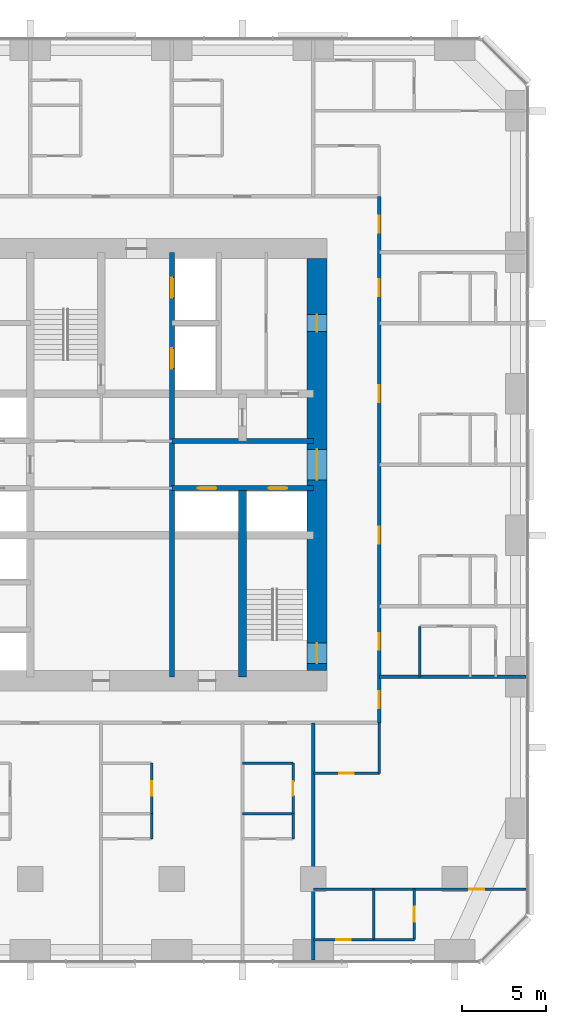
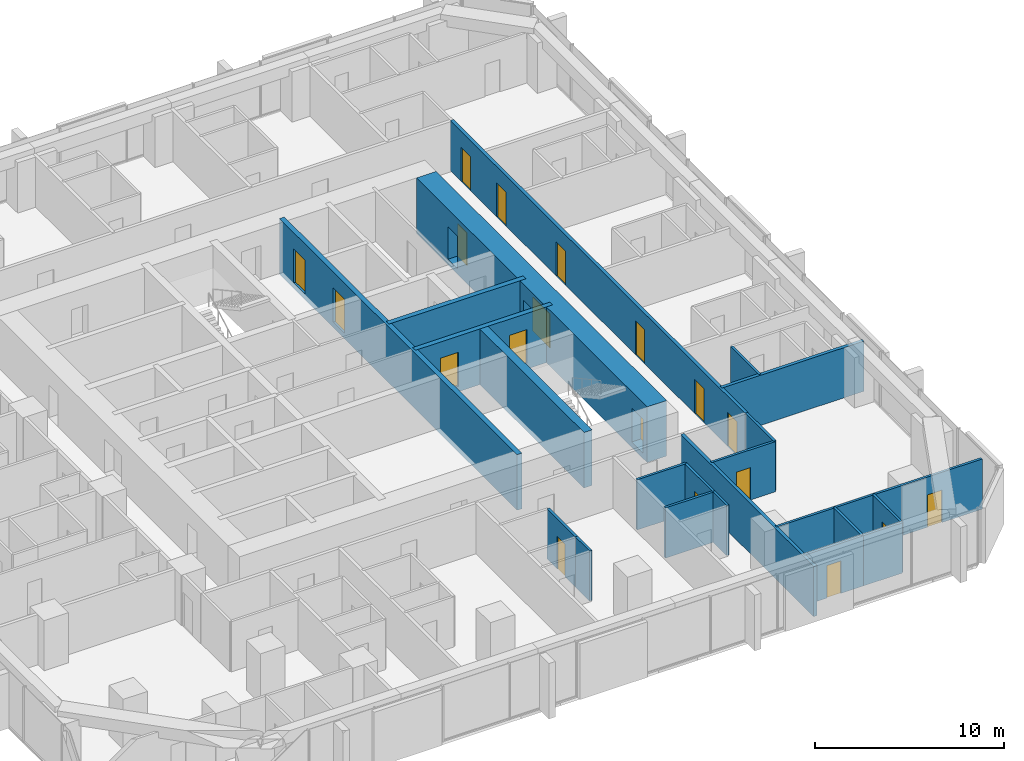
# One storey, part 10 of 14: 22 walls, 19 doors, 19 openings.
"""IFC4 building model written with IfcOpenShell, lengths in metres."""

from ifc_helpers import new_model, si_unit, direction, frame, frame_2d, origin, place, context, subcontext, project, spatial, rectangle, extrude, material, layer, layer_set, type_object, element, fill, save


model = new_model("IFC4")

# Units and contexts
model_context = context("Model", 3, precision=1e-05, world=origin(), true_north=direction((0.0, 1.0)))
body_context = subcontext(model_context, "Body", "Model", "MODEL_VIEW")
ifc_project = project(units=[si_unit("LENGTHUNIT", "METRE"), si_unit("AREAUNIT", "SQUARE_METRE"), si_unit("VOLUMEUNIT", "CUBIC_METRE"), si_unit("PLANEANGLEUNIT", "RADIAN"), si_unit("MASSUNIT", "GRAM", prefix="KILO")], contexts=[model_context])

# Site, building, storey
site_placement = place(None, origin())
site = spatial("IfcSite", under=ifc_project, at=site_placement, CompositionType="ELEMENT")
building_placement = place(site_placement, origin())
building = spatial("IfcBuilding", under=site, at=building_placement, Name="Dunama Terrace Hotel", CompositionType="ELEMENT")
storey_placement = place(building_placement, frame((0.0, 0.0, 108.0)))
storey = spatial("IfcBuildingStorey", under=building, at=storey_placement, Name="L27", CompositionType="ELEMENT", Elevation=108.0)

# Wall, opening, door
ifc_material_1 = material(Name="Gypsum board partition", Category="masonry")
ifc_layer_1 = layer(ifc_material_1, 0.14990234375)
ifc_layer_set_1 = layer_set([ifc_layer_1], Name="Bathroom partition 150")
wall_type_1 = type_object("IfcWallType", Name="Bathroom partition 150", PredefinedType="PARTITIONING", material=ifc_layer_set_1)
wall_1_placement = place(storey_placement, frame((32.39990234375, 8.675048828125, 0.0), z_axis=(0.0, 0.0, 1.0), x_axis=(0.0, 1.0, 0.0)))
wall_1 = element("IfcWall", 1, at=wall_1_placement, inside=storey, type_object=wall_type_1, Name="Bathroom partition 150 L27", PredefinedType="PARTITIONING", context=body_context, shape_type="SweptSolid", body=[
    extrude(rectangle(XDim=3.0, YDim=0.14990234375, at=frame_2d((1.5, 0.0))), origin(), (0.0, 0.0, 1.0), 3.25),
])
opening_1_placement = place(wall_1_placement, frame((1.074951171875, 0.0, 0.0)))
opening_1 = element("IfcOpeningElement", 2, at=opening_1_placement, cuts=wall_1, Name="Opening L25-27-018", PredefinedType="OPENING", context=body_context, shape_type="SweptSolid", body=[
    extrude(rectangle(XDim=0.85009765625, YDim=2.10009765625, at=frame_2d((0.425048828125, 1.050048828125))), frame((0.0, 0.0849609375, 0.0), z_axis=(0.0, -1.0, 0.0), x_axis=(1.0, 0.0, 0.0)), (0.0, 0.0, 1.0), 0.169921875),
])
ifc_material_2 = material(Name="Timber door with steel frame", Category="steel")
door_type_1 = type_object("IfcDoorType", Name="Bathroom door 850", OperationType="SINGLE_SWING_LEFT", PredefinedType="DOOR", material=ifc_material_2)
door_1_placement = place(opening_1_placement, origin())
door_1 = element("IfcDoor", 3, at=door_1_placement, inside=storey, type_object=door_type_1, Name="Door to en-suite bathroom L25-27-018, type D2", OperationType="SINGLE_SWING_LEFT", OverallHeight=2.10009765625, OverallWidth=0.85009765625, PredefinedType="DOOR", context=body_context, shape_type="SweptSolid", body=[
    extrude(rectangle(XDim=0.85009765625, YDim=2.10009765625, at=frame_2d((0.425048828125, 1.050048828125))), frame((0.0, 0.02490234375, 0.0), z_axis=(0.0, -1.0, 0.0), x_axis=(1.0, 0.0, 0.0)), (0.0, 0.0, 1.0), 0.050048828125),
])
fill(opening_1, door_1)

wall_2_placement = place(storey_placement, frame((40.800048828125, 8.675048828125, 0.0), z_axis=(0.0, 0.0, 1.0), x_axis=(0.0, 1.0, 0.0)))
wall_2 = element("IfcWall", 4, at=wall_2_placement, inside=storey, type_object=wall_type_1, Name="Bathroom partition 150 L27", PredefinedType="PARTITIONING", context=body_context, shape_type="SweptSolid", body=[
    extrude(rectangle(XDim=3.0, YDim=0.14990234375, at=frame_2d((1.5, 0.0))), origin(), (0.0, 0.0, 1.0), 3.25),
])
opening_2_placement = place(wall_2_placement, frame((1.074951171875, 0.0, 0.0)))
opening_2 = element("IfcOpeningElement", 5, at=opening_2_placement, cuts=wall_2, Name="Opening L25-27-021", PredefinedType="OPENING", context=body_context, shape_type="SweptSolid", body=[
    extrude(rectangle(XDim=0.85009765625, YDim=2.10009765625, at=frame_2d((0.425048828125, 1.050048828125))), frame((0.0, 0.0849609375, 0.0), z_axis=(0.0, -1.0, 0.0), x_axis=(1.0, 0.0, 0.0)), (0.0, 0.0, 1.0), 0.169921875),
])
door_2_placement = place(opening_2_placement, origin())
door_2 = element("IfcDoor", 6, at=door_2_placement, inside=storey, type_object=door_type_1, Name="Door to en-suite bathroom L25-27-021, type D2", OperationType="SINGLE_SWING_LEFT", OverallHeight=2.10009765625, OverallWidth=0.85009765625, PredefinedType="DOOR", context=body_context, shape_type="SweptSolid", body=[
    extrude(rectangle(XDim=0.85009765625, YDim=2.10009765625, at=frame_2d((0.425048828125, 1.050048828125))), frame((0.0, 0.02490234375, 0.0), z_axis=(0.0, -1.0, 0.0), x_axis=(1.0, 0.0, 0.0)), (0.0, 0.0, 1.0), 0.050048828125),
])
fill(opening_2, door_2)

# Walls
for number, where, z_axis, x_axis, name in (
    (7, (45.925048828125, 11.074951171875, 0.0), (0.0, 0.0, 1.0), (0.0, 1.0, 0.0), "Bathroom partition 150 L27"),
    (8, (48.324951171875, 16.800048828125, 0.0), (0.0, 0.0, 1.0), (0.0, 1.0, 0.0), "Bathroom partition 150 L27"),
):
    element("IfcWall", number, at=place(storey_placement, frame(where, z_axis=z_axis, x_axis=x_axis)), inside=storey, type_object=wall_type_1, Name=name, PredefinedType="PARTITIONING", context=body_context, shape_type="SweptSolid", body=[
        extrude(rectangle(XDim=3.0, YDim=0.14990234375, at=frame_2d((1.5, 0.0))), origin(), (0.0, 0.0, 1.0), 3.25),
    ])

# Wall, opening, door
wall_3_placement = place(storey_placement, frame((42.0, 1.199951171875, 0.0), z_axis=(0.0, 0.0, 1.0), x_axis=(1.0, 0.0, 0.0)))
wall_3 = element("IfcWall", 9, at=wall_3_placement, inside=storey, type_object=wall_type_1, Name="Bathroom partition 150 L27", PredefinedType="PARTITIONING", context=body_context, shape_type="SweptSolid", body=[
    extrude(rectangle(XDim=3.60009765625, YDim=0.14990234375, at=frame_2d((1.800048828125, 0.0))), origin(), (0.0, 0.0, 1.0), 3.25),
])
opening_3_placement = place(wall_3_placement, frame((1.375, 0.0, 0.0)))
opening_3 = element("IfcOpeningElement", 10, at=opening_3_placement, cuts=wall_3, Name="Opening L25-27-067", PredefinedType="OPENING", context=body_context, shape_type="SweptSolid", body=[
    extrude(rectangle(XDim=0.85009765625, YDim=2.10009765625, at=frame_2d((0.425048828125, 1.050048828125))), frame((0.0, 0.0849609375, 0.0), z_axis=(0.0, -1.0, 0.0), x_axis=(1.0, 0.0, 0.0)), (0.0, 0.0, 1.0), 0.169921875),
])
door_3_placement = place(opening_3_placement, origin())
door_3 = element("IfcDoor", 11, at=door_3_placement, inside=storey, type_object=door_type_1, Name="Door to en-suite bathroom L25-27-067, type D2", OperationType="SINGLE_SWING_LEFT", OverallHeight=2.10009765625, OverallWidth=0.85009765625, PredefinedType="DOOR", context=body_context, shape_type="SweptSolid", body=[
    extrude(rectangle(XDim=0.85009765625, YDim=2.10009765625, at=frame_2d((0.425048828125, 1.050048828125))), frame((0.0, 0.02490234375, 0.0), z_axis=(0.0, -1.0, 0.0), x_axis=(1.0, 0.0, 0.0)), (0.0, 0.0, 1.0), 0.050048828125),
])
fill(opening_3, door_3)

wall_4_placement = place(storey_placement, frame((42.0, 11.074951171875, 0.0), z_axis=(0.0, 0.0, 1.0), x_axis=(1.0, 0.0, 0.0)))
wall_4 = element("IfcWall", 12, at=wall_4_placement, inside=storey, type_object=wall_type_1, Name="Bathroom partition 150 L27", PredefinedType="PARTITIONING", context=body_context, shape_type="SweptSolid", body=[
    extrude(rectangle(XDim=3.925048828125, YDim=0.14990234375, at=frame_2d((1.96240234375, 0.0))), origin(), (0.0, 0.0, 1.0), 3.25),
])
opening_4_placement = place(wall_4_placement, frame((1.5380859375, 0.0, 0.0)))
opening_4 = element("IfcOpeningElement", 13, at=opening_4_placement, cuts=wall_4, Name="Opening L25-27-065", PredefinedType="OPENING", context=body_context, shape_type="SweptSolid", body=[
    extrude(rectangle(XDim=0.85009765625, YDim=2.10009765625, at=frame_2d((0.425048828125, 1.050048828125))), frame((0.0, 0.0849609375, 0.0), z_axis=(0.0, -1.0, 0.0), x_axis=(1.0, 0.0, 0.0)), (0.0, 0.0, 1.0), 0.169921875),
])
door_4_placement = place(opening_4_placement, origin())
door_4 = element("IfcDoor", 14, at=door_4_placement, inside=storey, type_object=door_type_1, Name="Door to powder room L25-27-065, type D2", OperationType="SINGLE_SWING_LEFT", OverallHeight=2.10009765625, OverallWidth=0.85009765625, PredefinedType="DOOR", context=body_context, shape_type="SweptSolid", body=[
    extrude(rectangle(XDim=0.85009765625, YDim=2.10009765625, at=frame_2d((0.425048828125, 1.050048828125))), frame((0.0, 0.02490234375, 0.0), z_axis=(0.0, -1.0, 0.0), x_axis=(1.0, 0.0, 0.0)), (0.0, 0.0, 1.0), 0.050048828125),
])
fill(opening_4, door_4)

# Wall
wall_5_placement = place(storey_placement, frame((37.800048828125, 11.675048828125, 0.0), z_axis=(0.0, 0.0, 1.0), x_axis=(1.0, 0.0, 0.0)))
element("IfcWall", 15, at=wall_5_placement, inside=storey, type_object=wall_type_1, Name="Bathroom partition 150 L27", PredefinedType="PARTITIONING", context=body_context, shape_type="SweptSolid", body=[
    extrude(rectangle(XDim=3.0, YDim=0.14990234375, at=frame_2d((1.5, 0.0))), origin(), (0.0, 0.0, 1.0), 3.25),
])

# Wall, openings, doors
ifc_material_3 = material(Name="Concrete C50/60", Category="concrete")
ifc_layer_2 = layer(ifc_material_3, 0.300048828125)
ifc_layer_set_2 = layer_set([ifc_layer_2], Name="Core inner wall 300")
wall_type_2 = type_object("IfcWallType", Name="Core inner wall 300", PredefinedType="SHEAR", material=ifc_layer_set_2)
wall_6_placement = place(storey_placement, frame((33.60009765625, 16.800048828125, -0.35009765625), z_axis=(0.0, 0.0, 1.0), x_axis=(0.0, 1.0, 0.0)))
wall_6 = element("IfcWall", 16, at=wall_6_placement, inside=storey, type_object=wall_type_2, Name="Core inner wall 300 L27", PredefinedType="SHEAR", context=body_context, shape_type="SweptSolid", body=[
    extrude(rectangle(XDim=25.199951171875, YDim=0.300048828125, at=frame_2d((12.60009765625, 0.0))), origin(), (0.0, 0.0, 1.0), 3.60009765625),
])
opening_5_placement = place(wall_6_placement, frame((22.5, 0.0, 0.35009765625)))
opening_5 = element("IfcOpeningElement", 17, at=opening_5_placement, cuts=wall_6, Name="Opening L25-27-009", PredefinedType="OPENING", context=body_context, shape_type="SweptSolid", body=[
    extrude(rectangle(XDim=1.199951171875, YDim=2.199951171875, at=frame_2d((0.60009765625, 1.10009765625))), frame((0.0, 0.159912109375, 0.0), z_axis=(0.0, -1.0, 0.0), x_axis=(1.0, 0.0, 0.0)), (0.0, 0.0, 1.0), 0.320068359375),
])
opening_6_placement = place(wall_6_placement, frame((18.300048828125, 0.0, 0.35009765625)))
opening_6 = element("IfcOpeningElement", 18, at=opening_6_placement, cuts=wall_6, Name="Opening L25-27-010", PredefinedType="OPENING", context=body_context, shape_type="SweptSolid", body=[
    extrude(rectangle(XDim=1.199951171875, YDim=2.199951171875, at=frame_2d((0.60009765625, 1.10009765625))), frame((0.0, 0.159912109375, 0.0), z_axis=(0.0, -1.0, 0.0), x_axis=(1.0, 0.0, 0.0)), (0.0, 0.0, 1.0), 0.320068359375),
])
ifc_material_4 = material(Name="Stainless steel lift door", Category="steel")
door_type_2 = type_object("IfcDoorType", Name="Firefighting lift landing door 1200", OperationType="DOUBLE_DOOR_SLIDING", PredefinedType="DOOR", material=ifc_material_4)
door_5_placement = place(opening_5_placement, origin())
door_5 = element("IfcDoor", 19, at=door_5_placement, inside=storey, type_object=door_type_2, Name="Landing door FL1 L25-27-009, type LD2", OperationType="DOUBLE_DOOR_SLIDING", OverallHeight=2.199951171875, OverallWidth=1.199951171875, PredefinedType="DOOR", context=body_context, shape_type="SweptSolid", body=[
    extrude(rectangle(XDim=1.199951171875, YDim=2.199951171875, at=frame_2d((0.60009765625, 1.10009765625))), frame((0.0, 0.02490234375, 0.0), z_axis=(0.0, -1.0, 0.0), x_axis=(1.0, 0.0, 0.0)), (0.0, 0.0, 1.0), 0.050048828125),
])
fill(opening_5, door_5)
door_6_placement = place(opening_6_placement, origin())
door_6 = element("IfcDoor", 20, at=door_6_placement, inside=storey, type_object=door_type_2, Name="Landing door FL2 L25-27-010, type LD2", OperationType="DOUBLE_DOOR_SLIDING", OverallHeight=2.199951171875, OverallWidth=1.199951171875, PredefinedType="DOOR", context=body_context, shape_type="SweptSolid", body=[
    extrude(rectangle(XDim=1.199951171875, YDim=2.199951171875, at=frame_2d((0.60009765625, 1.10009765625))), frame((0.0, 0.02490234375, 0.0), z_axis=(0.0, -1.0, 0.0), x_axis=(1.0, 0.0, 0.0)), (0.0, 0.0, 1.0), 0.050048828125),
])
fill(opening_6, door_6)

wall_7_placement = place(storey_placement, frame((33.60009765625, 28.0, -0.35009765625), z_axis=(0.0, 0.0, 1.0), x_axis=(1.0, 0.0, 0.0)))
wall_7 = element("IfcWall", 21, at=wall_7_placement, inside=storey, type_object=wall_type_2, Name="Core inner wall 300 L27", PredefinedType="SHEAR", context=body_context, shape_type="SweptSolid", body=[
    extrude(rectangle(XDim=8.39990234375, YDim=0.300048828125, at=frame_2d((4.199951171875, 0.0))), origin(), (0.0, 0.0, 1.0), 3.60009765625),
])
opening_7_placement = place(wall_7_placement, frame((1.550048828125, 0.0, 0.35009765625)))
opening_7 = element("IfcOpeningElement", 22, at=opening_7_placement, cuts=wall_7, Name="Opening L25-27-003", PredefinedType="OPENING", context=body_context, shape_type="SweptSolid", body=[
    extrude(rectangle(XDim=1.10009765625, YDim=2.199951171875, at=frame_2d((0.550048828125, 1.10009765625))), frame((0.0, 0.159912109375, 0.0), z_axis=(0.0, -1.0, 0.0), x_axis=(1.0, 0.0, 0.0)), (0.0, 0.0, 1.0), 0.320068359375),
])
opening_8_placement = place(wall_7_placement, frame((5.75, 0.0, 0.35009765625)))
opening_8 = element("IfcOpeningElement", 23, at=opening_8_placement, cuts=wall_7, Name="Opening L25-27-004", PredefinedType="OPENING", context=body_context, shape_type="SweptSolid", body=[
    extrude(rectangle(XDim=1.10009765625, YDim=2.199951171875, at=frame_2d((0.550048828125, 1.10009765625))), frame((0.0, 0.159912109375, 0.0), z_axis=(0.0, -1.0, 0.0), x_axis=(1.0, 0.0, 0.0)), (0.0, 0.0, 1.0), 0.320068359375),
])
ifc_material_5 = material(Name="Stainless steel lift door", Category="steel")
door_type_3 = type_object("IfcDoorType", Name="Lift landing door 1100", OperationType="DOUBLE_DOOR_SLIDING", PredefinedType="DOOR", material=ifc_material_5)
door_7_placement = place(opening_7_placement, origin())
door_7 = element("IfcDoor", 24, at=door_7_placement, inside=storey, type_object=door_type_3, Name="Landing door PB1 L25-27-003, type LD1", OperationType="DOUBLE_DOOR_SLIDING", OverallHeight=2.199951171875, OverallWidth=1.10009765625, PredefinedType="DOOR", context=body_context, shape_type="SweptSolid", body=[
    extrude(rectangle(XDim=1.10009765625, YDim=2.199951171875, at=frame_2d((0.550048828125, 1.10009765625))), frame((0.0, 0.02490234375, 0.0), z_axis=(0.0, -1.0, 0.0), x_axis=(1.0, 0.0, 0.0)), (0.0, 0.0, 1.0), 0.050048828125),
])
fill(opening_7, door_7)
door_8_placement = place(opening_8_placement, origin())
door_8 = element("IfcDoor", 25, at=door_8_placement, inside=storey, type_object=door_type_3, Name="Landing door PB2 L25-27-004, type LD1", OperationType="DOUBLE_DOOR_SLIDING", OverallHeight=2.199951171875, OverallWidth=1.10009765625, PredefinedType="DOOR", context=body_context, shape_type="SweptSolid", body=[
    extrude(rectangle(XDim=1.10009765625, YDim=2.199951171875, at=frame_2d((0.550048828125, 1.10009765625))), frame((0.0, 0.02490234375, 0.0), z_axis=(0.0, -1.0, 0.0), x_axis=(1.0, 0.0, 0.0)), (0.0, 0.0, 1.0), 0.050048828125),
])
fill(opening_8, door_8)

# Walls
wall_8_placement = place(storey_placement, frame((33.60009765625, 30.800048828125, -0.35009765625), z_axis=(0.0, 0.0, 1.0), x_axis=(1.0, 0.0, 0.0)))
element("IfcWall", 26, at=wall_8_placement, inside=storey, type_object=wall_type_2, Name="Core inner wall 300 L27", PredefinedType="SHEAR", context=body_context, shape_type="SweptSolid", body=[
    extrude(rectangle(XDim=8.39990234375, YDim=0.300048828125, at=frame_2d((4.199951171875, 0.0))), origin(), (0.0, 0.0, 1.0), 3.60009765625),
])
ifc_material_6 = material(Name="Concrete C50/60", Category="concrete")
ifc_layer_3 = layer(ifc_material_6, 0.5)
ifc_layer_set_3 = layer_set([ifc_layer_3], Name="Core inner wall 500")
wall_type_3 = type_object("IfcWallType", Name="Core inner wall 500", PredefinedType="SHEAR", material=ifc_layer_set_3)
wall_9_placement = place(storey_placement, frame((37.800048828125, 16.800048828125, -0.35009765625), z_axis=(0.0, 0.0, 1.0), x_axis=(0.0, 1.0, 0.0)))
element("IfcWall", 27, at=wall_9_placement, inside=storey, type_object=wall_type_3, Name="Core inner wall 500 L27", PredefinedType="SHEAR", context=body_context, shape_type="SweptSolid", body=[
    extrude(rectangle(XDim=11.199951171875, YDim=0.5, at=frame_2d((5.60009765625, 0.0))), origin(), (0.0, 0.0, 1.0), 3.60009765625),
])

# Wall, openings, doors
ifc_material_7 = material(Name="Concrete C60/75", Category="concrete")
ifc_layer_4 = layer(ifc_material_7, 1.199951171875)
ifc_layer_set_4 = layer_set([ifc_layer_4], Name="Core wall 1200")
wall_type_4 = type_object("IfcWallType", Name="Core wall 1200", PredefinedType="SHEAR", material=ifc_layer_set_4)
wall_10_placement = place(storey_placement, frame((42.22509765625, 17.175048828125, -0.35009765625), z_axis=(0.0, 0.0, 1.0), x_axis=(0.0, 1.0, 0.0)))
wall_10 = element("IfcWall", 28, at=wall_10_placement, inside=storey, type_object=wall_type_4, Name="Core wall east L27", PredefinedType="SHEAR", context=body_context, shape_type="SweptSolid", body=[
    extrude(rectangle(XDim=24.449951171875, YDim=1.199951171875, at=frame_2d((12.22509765625, 0.0))), origin(), (0.0, 0.0, 1.0), 3.60009765625),
])
opening_9_placement = place(wall_10_placement, frame((0.425048828125, 0.0, 0.35009765625)))
opening_9 = element("IfcOpeningElement", 29, at=opening_9_placement, cuts=wall_10, Name="Opening L25-27-002", PredefinedType="OPENING", context=body_context, shape_type="SweptSolid", body=[
    extrude(rectangle(XDim=1.199951171875, YDim=2.199951171875, at=frame_2d((0.60009765625, 1.10009765625))), frame((0.0, 0.60986328125, 0.0), z_axis=(0.0, -1.0, 0.0), x_axis=(1.0, 0.0, 0.0)), (0.0, 0.0, 1.0), 1.219970703125),
])
opening_10_placement = place(wall_10_placement, frame((11.324951171875, 0.0, 0.35009765625)))
opening_10 = element("IfcOpeningElement", 30, at=opening_10_placement, cuts=wall_10, Name="Opening L25-27-089", PredefinedType="OPENING", context=body_context, shape_type="SweptSolid", body=[
    extrude(rectangle(XDim=1.800048828125, YDim=2.199951171875, at=frame_2d((0.89990234375, 1.10009765625))), frame((0.0, 0.60986328125, 0.0), z_axis=(0.0, -1.0, 0.0), x_axis=(1.0, 0.0, 0.0)), (0.0, 0.0, 1.0), 1.219970703125),
])
opening_11_placement = place(wall_10_placement, frame((20.125, 0.0, 0.35009765625)))
opening_11 = element("IfcOpeningElement", 31, at=opening_11_placement, cuts=wall_10, Name="Opening L25-27-091", PredefinedType="OPENING", context=body_context, shape_type="SweptSolid", body=[
    extrude(rectangle(XDim=1.0, YDim=2.10009765625, at=frame_2d((0.5, 1.050048828125))), frame((0.0, 0.60986328125, 0.0), z_axis=(0.0, -1.0, 0.0), x_axis=(1.0, 0.0, 0.0)), (0.0, 0.0, 1.0), 1.219970703125),
])
ifc_material_8 = material(Name="Timber door with steel frame", Category="steel")
door_type_4 = type_object("IfcDoorType", Name="Lift lobby double door 1800", OperationType="DOUBLE_DOOR_DOUBLE_SWING", PredefinedType="DOOR", material=ifc_material_8)
door_9_placement = place(opening_10_placement, origin())
door_9 = element("IfcDoor", 32, at=door_9_placement, inside=storey, type_object=door_type_4, Name="Door to lift lobby L25-27-089, type D3", OperationType="DOUBLE_DOOR_DOUBLE_SWING", OverallHeight=2.199951171875, OverallWidth=1.800048828125, PredefinedType="DOOR", context=body_context, shape_type="SweptSolid", body=[
    extrude(rectangle(XDim=1.800048828125, YDim=2.199951171875, at=frame_2d((0.89990234375, 1.10009765625))), frame((0.0, 0.02490234375, 0.0), z_axis=(0.0, -1.0, 0.0), x_axis=(1.0, 0.0, 0.0)), (0.0, 0.0, 1.0), 0.050048828125),
])
fill(opening_10, door_9)
ifc_material_9 = material(Name="Timber door with steel frame", Category="steel")
door_type_5 = type_object("IfcDoorType", Name="Service door 1000", OperationType="SINGLE_SWING_LEFT", PredefinedType="DOOR", material=ifc_material_9)
door_10_placement = place(opening_11_placement, origin())
door_10 = element("IfcDoor", 33, at=door_10_placement, inside=storey, type_object=door_type_5, Name="Door to guest pantry L25-27-091, type D7", OperationType="SINGLE_SWING_LEFT", OverallHeight=2.10009765625, OverallWidth=1.0, PredefinedType="DOOR", context=body_context, shape_type="SweptSolid", body=[
    extrude(rectangle(XDim=1.0, YDim=2.10009765625, at=frame_2d((0.5, 1.050048828125))), frame((0.0, 0.02490234375, 0.0), z_axis=(0.0, -1.0, 0.0), x_axis=(1.0, 0.0, 0.0)), (0.0, 0.0, 1.0), 0.050048828125),
])
fill(opening_11, door_10)
ifc_material_10 = material(Name="Timber door with steel frame", Category="steel")
door_type_6 = type_object("IfcDoorType", Name="Stair door 1200", OperationType="SINGLE_SWING_LEFT", PredefinedType="DOOR", material=ifc_material_10)
door_11_placement = place(opening_9_placement, origin())
door_11 = element("IfcDoor", 34, at=door_11_placement, inside=storey, type_object=door_type_6, Name="Stair door ST2 L25-27-002, type D5", OperationType="SINGLE_SWING_LEFT", OverallHeight=2.199951171875, OverallWidth=1.199951171875, PredefinedType="DOOR", context=body_context, shape_type="SweptSolid", body=[
    extrude(rectangle(XDim=1.199951171875, YDim=2.199951171875, at=frame_2d((0.60009765625, 1.10009765625))), frame((0.0, 0.02490234375, 0.0), z_axis=(0.0, -1.0, 0.0), x_axis=(1.0, 0.0, 0.0)), (0.0, 0.0, 1.0), 0.050048828125),
])
fill(opening_9, door_11)

ifc_material_11 = material(Name="Concrete blockwork", Category="masonry")
ifc_layer_5 = layer(ifc_material_11, 0.199951171875)
ifc_layer_set_5 = layer_set([ifc_layer_5], Name="Corridor partition 200")
wall_type_5 = type_object("IfcWallType", Name="Corridor partition 200", PredefinedType="PARTITIONING", material=ifc_layer_set_5)
wall_11_placement = place(storey_placement, frame((45.925048828125, 45.324951171875, 0.0), z_axis=(0.0, 0.0, 1.0), x_axis=(0.0, -1.0, 0.0)))
wall_11 = element("IfcWall", 35, at=wall_11_placement, inside=storey, type_object=wall_type_5, Name="Corridor partition 200 L27", PredefinedType="PARTITIONING", context=body_context, shape_type="SweptSolid", body=[
    extrude(rectangle(XDim=31.25, YDim=0.199951171875, at=frame_2d((15.625, 0.0))), origin(), (0.0, 0.0, 1.0), 3.25),
])
opening_12_placement = place(wall_11_placement, frame((25.925048828125, 0.0, 0.0)))
opening_12 = element("IfcOpeningElement", 36, at=opening_12_placement, cuts=wall_11, Name="Opening L25-27-023", PredefinedType="OPENING", context=body_context, shape_type="SweptSolid", body=[
    extrude(rectangle(XDim=1.0, YDim=2.199951171875, at=frame_2d((0.5, 1.10009765625))), frame((0.0, 0.10986328125, 0.0), z_axis=(0.0, -1.0, 0.0), x_axis=(1.0, 0.0, 0.0)), (0.0, 0.0, 1.0), 0.219970703125),
])
opening_13_placement = place(wall_11_placement, frame((19.625, 0.0, 0.0)))
opening_13 = element("IfcOpeningElement", 37, at=opening_13_placement, cuts=wall_11, Name="Opening L25-27-026", PredefinedType="OPENING", context=body_context, shape_type="SweptSolid", body=[
    extrude(rectangle(XDim=1.0, YDim=2.199951171875, at=frame_2d((0.5, 1.10009765625))), frame((0.0, 0.10986328125, 0.0), z_axis=(0.0, -1.0, 0.0), x_axis=(1.0, 0.0, 0.0)), (0.0, 0.0, 1.0), 0.219970703125),
])
opening_14_placement = place(wall_11_placement, frame((11.22509765625, 0.0, 0.0)))
opening_14 = element("IfcOpeningElement", 38, at=opening_14_placement, cuts=wall_11, Name="Opening L25-27-029", PredefinedType="OPENING", context=body_context, shape_type="SweptSolid", body=[
    extrude(rectangle(XDim=1.0, YDim=2.199951171875, at=frame_2d((0.5, 1.10009765625))), frame((0.0, 0.10986328125, 0.0), z_axis=(0.0, -1.0, 0.0), x_axis=(1.0, 0.0, 0.0)), (0.0, 0.0, 1.0), 0.219970703125),
])
opening_15_placement = place(wall_11_placement, frame((4.925048828125, 0.0, 0.0)))
opening_15 = element("IfcOpeningElement", 39, at=opening_15_placement, cuts=wall_11, Name="Opening L25-27-032", PredefinedType="OPENING", context=body_context, shape_type="SweptSolid", body=[
    extrude(rectangle(XDim=1.0, YDim=2.199951171875, at=frame_2d((0.5, 1.10009765625))), frame((0.0, 0.10986328125, 0.0), z_axis=(0.0, -1.0, 0.0), x_axis=(1.0, 0.0, 0.0)), (0.0, 0.0, 1.0), 0.219970703125),
])
opening_16_placement = place(wall_11_placement, frame((29.386962890625, 0.0, 0.0)))
opening_16 = element("IfcOpeningElement", 40, at=opening_16_placement, cuts=wall_11, Name="Opening L25-27-064", PredefinedType="OPENING", context=body_context, shape_type="SweptSolid", body=[
    extrude(rectangle(XDim=1.0, YDim=2.199951171875, at=frame_2d((0.5, 1.10009765625))), frame((0.0, 0.10986328125, 0.0), z_axis=(0.0, -1.0, 0.0), x_axis=(1.0, 0.0, 0.0)), (0.0, 0.0, 1.0), 0.219970703125),
])
opening_17_placement = place(wall_11_placement, frame((1.162109375, 0.0, 0.0)))
opening_17 = element("IfcOpeningElement", 41, at=opening_17_placement, cuts=wall_11, Name="Opening L25-27-069", PredefinedType="OPENING", context=body_context, shape_type="SweptSolid", body=[
    extrude(rectangle(XDim=1.0, YDim=2.199951171875, at=frame_2d((0.5, 1.10009765625))), frame((0.0, 0.10986328125, 0.0), z_axis=(0.0, -1.0, 0.0), x_axis=(1.0, 0.0, 0.0)), (0.0, 0.0, 1.0), 0.219970703125),
])
ifc_material_12 = material(Name="Timber door with steel frame", Category="steel")
door_type_7 = type_object("IfcDoorType", Name="Guest room door 1000", OperationType="SINGLE_SWING_LEFT", PredefinedType="DOOR", material=ifc_material_12)
door_12_placement = place(opening_12_placement, origin())
door_12 = element("IfcDoor", 42, at=door_12_placement, inside=storey, type_object=door_type_7, Name="Door to premier room L25-27-023, type D1", OperationType="SINGLE_SWING_LEFT", OverallHeight=2.199951171875, OverallWidth=1.0, PredefinedType="DOOR", context=body_context, shape_type="SweptSolid", body=[
    extrude(rectangle(XDim=1.0, YDim=2.199951171875, at=frame_2d((0.5, 1.10009765625))), frame((0.0, 0.02490234375, 0.0), z_axis=(0.0, -1.0, 0.0), x_axis=(1.0, 0.0, 0.0)), (0.0, 0.0, 1.0), 0.050048828125),
])
fill(opening_12, door_12)
door_13_placement = place(opening_13_placement, origin())
door_13 = element("IfcDoor", 43, at=door_13_placement, inside=storey, type_object=door_type_7, Name="Door to junior suite L25-27-026, type D1", OperationType="SINGLE_SWING_RIGHT", OverallHeight=2.199951171875, OverallWidth=1.0, PredefinedType="DOOR", context=body_context, shape_type="SweptSolid", body=[
    extrude(rectangle(XDim=1.0, YDim=2.199951171875, at=frame_2d((0.5, 1.10009765625))), frame((0.0, 0.02490234375, 0.0), z_axis=(0.0, -1.0, 0.0), x_axis=(1.0, 0.0, 0.0)), (0.0, 0.0, 1.0), 0.050048828125),
])
fill(opening_13, door_13)
door_14_placement = place(opening_14_placement, origin())
door_14 = element("IfcDoor", 44, at=door_14_placement, inside=storey, type_object=door_type_7, Name="Door to junior suite L25-27-029, type D1", OperationType="SINGLE_SWING_RIGHT", OverallHeight=2.199951171875, OverallWidth=1.0, PredefinedType="DOOR", context=body_context, shape_type="SweptSolid", body=[
    extrude(rectangle(XDim=1.0, YDim=2.199951171875, at=frame_2d((0.5, 1.10009765625))), frame((0.0, 0.02490234375, 0.0), z_axis=(0.0, -1.0, 0.0), x_axis=(1.0, 0.0, 0.0)), (0.0, 0.0, 1.0), 0.050048828125),
])
fill(opening_14, door_14)
door_15_placement = place(opening_15_placement, origin())
door_15 = element("IfcDoor", 45, at=door_15_placement, inside=storey, type_object=door_type_7, Name="Door to premier room L25-27-032, type D1", OperationType="SINGLE_SWING_LEFT", OverallHeight=2.199951171875, OverallWidth=1.0, PredefinedType="DOOR", context=body_context, shape_type="SweptSolid", body=[
    extrude(rectangle(XDim=1.0, YDim=2.199951171875, at=frame_2d((0.5, 1.10009765625))), frame((0.0, 0.02490234375, 0.0), z_axis=(0.0, -1.0, 0.0), x_axis=(1.0, 0.0, 0.0)), (0.0, 0.0, 1.0), 0.050048828125),
])
fill(opening_15, door_15)
door_16_placement = place(opening_16_placement, origin())
door_16 = element("IfcDoor", 46, at=door_16_placement, inside=storey, type_object=door_type_7, Name="Door to corner suite living room L25-27-064, type D1", OperationType="SINGLE_SWING_LEFT", OverallHeight=2.199951171875, OverallWidth=1.0, PredefinedType="DOOR", context=body_context, shape_type="SweptSolid", body=[
    extrude(rectangle(XDim=1.0, YDim=2.199951171875, at=frame_2d((0.5, 1.10009765625))), frame((0.0, 0.02490234375, 0.0), z_axis=(0.0, -1.0, 0.0), x_axis=(1.0, 0.0, 0.0)), (0.0, 0.0, 1.0), 0.050048828125),
])
fill(opening_16, door_16)
door_17_placement = place(opening_17_placement, origin())
door_17 = element("IfcDoor", 47, at=door_17_placement, inside=storey, type_object=door_type_7, Name="Door to corner suite living room L25-27-069, type D1", OperationType="SINGLE_SWING_LEFT", OverallHeight=2.199951171875, OverallWidth=1.0, PredefinedType="DOOR", context=body_context, shape_type="SweptSolid", body=[
    extrude(rectangle(XDim=1.0, YDim=2.199951171875, at=frame_2d((0.5, 1.10009765625))), frame((0.0, 0.02490234375, 0.0), z_axis=(0.0, -1.0, 0.0), x_axis=(1.0, 0.0, 0.0)), (0.0, 0.0, 1.0), 0.050048828125),
])
fill(opening_17, door_17)

# Walls
ifc_material_13 = material(Name="Concrete blockwork", Category="masonry")
ifc_layer_6 = layer(ifc_material_13, 0.199951171875)
ifc_layer_set_6 = layer_set([ifc_layer_6], Name="Party wall 200")
wall_type_6 = type_object("IfcWallType", Name="Party wall 200", PredefinedType="PARTITIONING", material=ifc_layer_set_6)
wall_12_placement = place(storey_placement, frame((42.0, -0.01806640625, 0.0), z_axis=(0.0, 0.0, 1.0), x_axis=(0.0, 1.0, 0.0)))
element("IfcWall", 48, at=wall_12_placement, inside=storey, type_object=wall_type_6, Name="Party wall 200 L27", PredefinedType="PARTITIONING", context=body_context, shape_type="SweptSolid", body=[
    extrude(rectangle(XDim=14.093017578125, YDim=0.199951171875, at=frame_2d((7.04638671875, 0.0))), origin(), (0.0, 0.0, 1.0), 3.25),
])
wall_13_placement = place(storey_placement, frame((45.925048828125, 16.800048828125, 0.0), z_axis=(0.0, 0.0, 1.0), x_axis=(1.0, 0.0, 0.0)))
element("IfcWall", 49, at=wall_13_placement, inside=storey, type_object=wall_type_6, Name="Party wall 200 L27", PredefinedType="PARTITIONING", context=body_context, shape_type="SweptSolid", body=[
    extrude(rectangle(XDim=8.69287109375, YDim=0.199951171875, at=frame_2d((4.346435546875, 0.0))), origin(), (0.0, 0.0, 1.0), 3.25),
])
ifc_material_14 = material(Name="Gypsum board partition", Category="masonry")
ifc_layer_7 = layer(ifc_material_14, 0.14990234375)
ifc_layer_set_7 = layer_set([ifc_layer_7], Name="Room partition 150")
wall_type_7 = type_object("IfcWallType", Name="Room partition 150", PredefinedType="PARTITIONING", material=ifc_layer_set_7)
for number, where, z_axis, x_axis, name in (
    (50, (32.39990234375, 7.175048828125, 0.0), (0.0, 0.0, 1.0), (0.0, 1.0, 0.0), "Room partition 150 L27"),
    (51, (40.800048828125, 7.175048828125, 0.0), (0.0, 0.0, 1.0), (0.0, 1.0, 0.0), "Room partition 150 L27"),
):
    element("IfcWall", number, at=place(storey_placement, frame(where, z_axis=z_axis, x_axis=x_axis)), inside=storey, type_object=wall_type_7, Name=name, PredefinedType="PARTITIONING", context=body_context, shape_type="SweptSolid", body=[
        extrude(rectangle(XDim=1.5, YDim=0.14990234375, at=frame_2d((0.75, 0.0))), origin(), (0.0, 0.0, 1.0), 3.25),
    ])
wall_14_placement = place(storey_placement, frame((45.60009765625, 1.199951171875, 0.0), z_axis=(0.0, 0.0, 1.0), x_axis=(0.0, 1.0, 0.0)))
element("IfcWall", 52, at=wall_14_placement, inside=storey, type_object=wall_type_7, Name="Room partition 150 L27", PredefinedType="PARTITIONING", context=body_context, shape_type="SweptSolid", body=[
    extrude(rectangle(XDim=3.0, YDim=0.14990234375, at=frame_2d((1.5, 0.0))), origin(), (0.0, 0.0, 1.0), 3.25),
])

# Wall, opening, door
wall_15_placement = place(storey_placement, frame((48.0, 1.199951171875, 0.0), z_axis=(0.0, 0.0, 1.0), x_axis=(0.0, 1.0, 0.0)))
wall_15 = element("IfcWall", 53, at=wall_15_placement, inside=storey, type_object=wall_type_7, Name="Room partition 150 L27", PredefinedType="PARTITIONING", context=body_context, shape_type="SweptSolid", body=[
    extrude(rectangle(XDim=3.0, YDim=0.14990234375, at=frame_2d((1.5, 0.0))), origin(), (0.0, 0.0, 1.0), 3.25),
])
opening_18_placement = place(wall_15_placement, frame((1.050048828125, 0.0, 0.0)))
opening_18 = element("IfcOpeningElement", 54, at=opening_18_placement, cuts=wall_15, Name="Opening L25-27-068", PredefinedType="OPENING", context=body_context, shape_type="SweptSolid", body=[
    extrude(rectangle(XDim=0.89990234375, YDim=2.10009765625, at=frame_2d((0.449951171875, 1.050048828125))), frame((0.0, 0.0849609375, 0.0), z_axis=(0.0, -1.0, 0.0), x_axis=(1.0, 0.0, 0.0)), (0.0, 0.0, 1.0), 0.169921875),
])
ifc_material_15 = material(Name="Timber door with steel frame", Category="steel")
door_type_8 = type_object("IfcDoorType", Name="Suite internal door 900", OperationType="SINGLE_SWING_LEFT", PredefinedType="DOOR", material=ifc_material_15)
door_18_placement = place(opening_18_placement, origin())
door_18 = element("IfcDoor", 55, at=door_18_placement, inside=storey, type_object=door_type_8, Name="Door to dressing room L25-27-068, type D16", OperationType="SINGLE_SWING_LEFT", OverallHeight=2.10009765625, OverallWidth=0.89990234375, PredefinedType="DOOR", context=body_context, shape_type="SweptSolid", body=[
    extrude(rectangle(XDim=0.89990234375, YDim=2.10009765625, at=frame_2d((0.449951171875, 1.050048828125))), frame((0.0, 0.02490234375, 0.0), z_axis=(0.0, -1.0, 0.0), x_axis=(1.0, 0.0, 0.0)), (0.0, 0.0, 1.0), 0.050048828125),
])
fill(opening_18, door_18)

# Wall
wall_16_placement = place(storey_placement, frame((45.60009765625, 1.199951171875, 0.0), z_axis=(0.0, 0.0, 1.0), x_axis=(1.0, 0.0, 0.0)))
element("IfcWall", 56, at=wall_16_placement, inside=storey, type_object=wall_type_7, Name="Room partition 150 L27", PredefinedType="PARTITIONING", context=body_context, shape_type="SweptSolid", body=[
    extrude(rectangle(XDim=2.39990234375, YDim=0.14990234375, at=frame_2d((1.199951171875, 0.0))), origin(), (0.0, 0.0, 1.0), 3.25),
])

# Wall, opening, door
wall_17_placement = place(storey_placement, frame((42.0, 4.199951171875, 0.0), z_axis=(0.0, 0.0, 1.0), x_axis=(1.0, 0.0, 0.0)))
wall_17 = element("IfcWall", 57, at=wall_17_placement, inside=storey, type_object=wall_type_7, Name="Room partition 150 L27", PredefinedType="PARTITIONING", context=body_context, shape_type="SweptSolid", body=[
    extrude(rectangle(XDim=12.617919921875, YDim=0.14990234375, at=frame_2d((6.30908203125, 0.0))), origin(), (0.0, 0.0, 1.0), 3.25),
])
opening_19_placement = place(wall_17_placement, frame((9.25, 0.0, 0.0)))
opening_19 = element("IfcOpeningElement", 58, at=opening_19_placement, cuts=wall_17, Name="Opening L25-27-066", PredefinedType="OPENING", context=body_context, shape_type="SweptSolid", body=[
    extrude(rectangle(XDim=0.89990234375, YDim=2.10009765625, at=frame_2d((0.449951171875, 1.050048828125))), frame((0.0, 0.0849609375, 0.0), z_axis=(0.0, -1.0, 0.0), x_axis=(1.0, 0.0, 0.0)), (0.0, 0.0, 1.0), 0.169921875),
])
door_19_placement = place(opening_19_placement, frame((0.89990234375, 0.0, 0.0), z_axis=(0.0, 0.0, 1.0), x_axis=(-1.0, 0.0, 0.0)))
door_19 = element("IfcDoor", 59, at=door_19_placement, inside=storey, type_object=door_type_8, Name="Door to corner suite bedroom L25-27-066, type D16", OperationType="SINGLE_SWING_RIGHT", OverallHeight=2.10009765625, OverallWidth=0.89990234375, PredefinedType="DOOR", context=body_context, shape_type="SweptSolid", body=[
    extrude(rectangle(XDim=0.89990234375, YDim=2.10009765625, at=frame_2d((0.449951171875, 1.050048828125))), frame((0.0, 0.025146484375, 0.0), z_axis=(0.0, -1.0, 0.0), x_axis=(1.0, 0.0, 0.0)), (0.0, 0.0, 1.0), 0.050048828125),
])
fill(opening_19, door_19)

# Wall
wall_18_placement = place(storey_placement, frame((37.800048828125, 8.675048828125, 0.0), z_axis=(0.0, 0.0, 1.0), x_axis=(1.0, 0.0, 0.0)))
element("IfcWall", 60, at=wall_18_placement, inside=storey, type_object=wall_type_7, Name="Room partition 150 L27", PredefinedType="PARTITIONING", context=body_context, shape_type="SweptSolid", body=[
    extrude(rectangle(XDim=3.0, YDim=0.14990234375, at=frame_2d((1.5, 0.0))), origin(), (0.0, 0.0, 1.0), 3.25),
])

save(model, "model.ifc")
